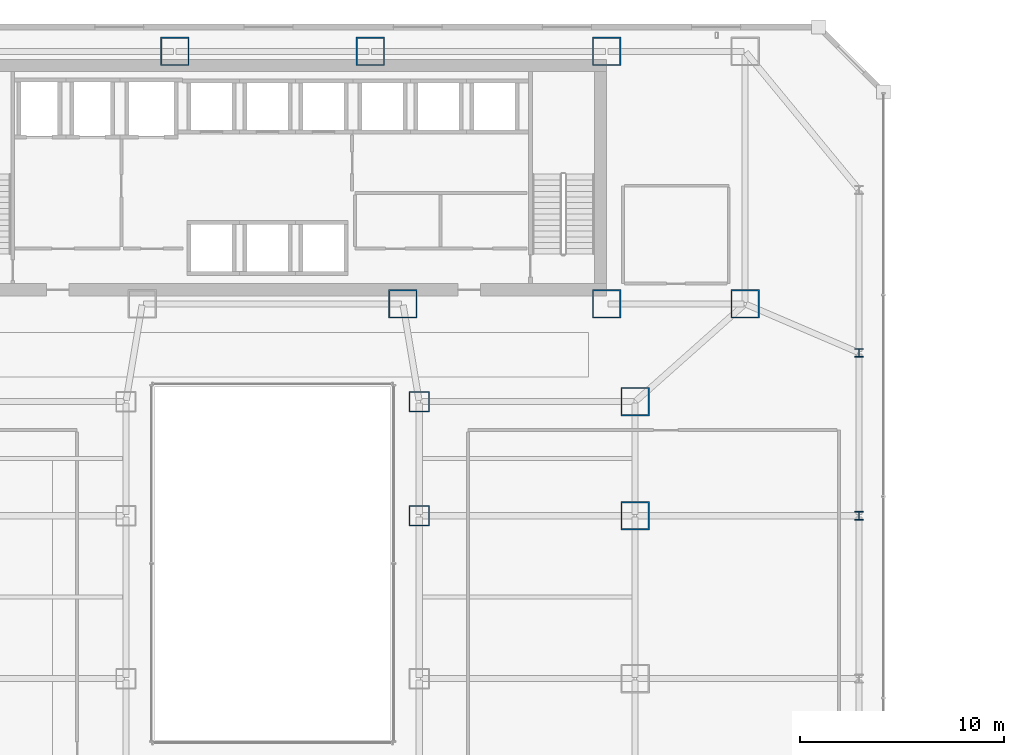
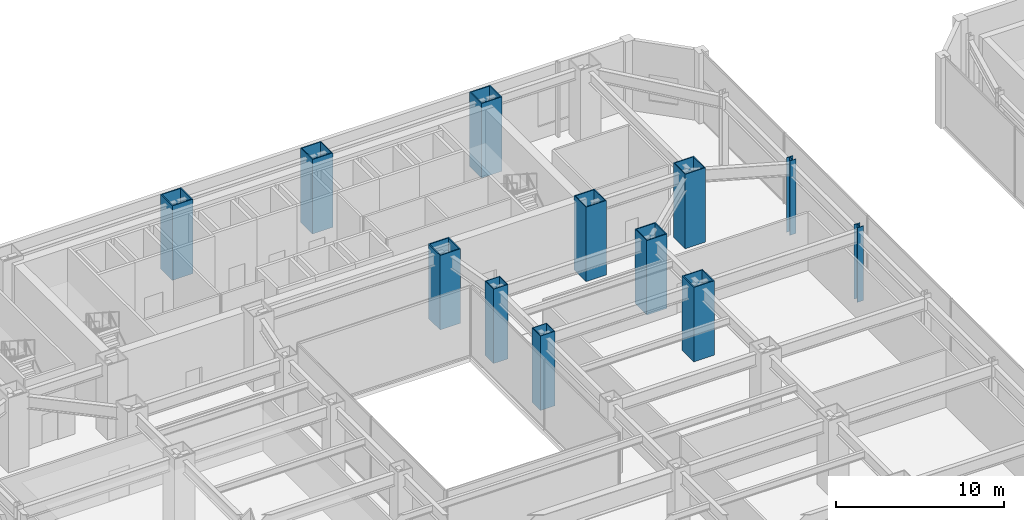
# One storey, part 4 of 52: 12 columns.
"""IFC4 building model written with IfcOpenShell, lengths in metres."""

from ifc_helpers import new_model, si_unit, direction, frame, origin, origin_2d, place, context, subcontext, project, spatial, hollow_rectangle, i_section, extrude, material, material_profile, profile_set, type_object, element, save


model = new_model("IFC4")

# Units and contexts
model_context = context("Model", 3, precision=1e-05, world=origin(), true_north=direction((0.0, 1.0)))
body_context = subcontext(model_context, "Body", "Model", "MODEL_VIEW")
ifc_project = project(units=[si_unit("LENGTHUNIT", "METRE"), si_unit("AREAUNIT", "SQUARE_METRE"), si_unit("VOLUMEUNIT", "CUBIC_METRE"), si_unit("PLANEANGLEUNIT", "RADIAN"), si_unit("MASSUNIT", "GRAM", prefix="KILO")], contexts=[model_context])

# Site, building, storey
site_placement = place(None, origin())
site = spatial("IfcSite", under=ifc_project, at=site_placement, CompositionType="ELEMENT")
building_placement = place(site_placement, origin())
building = spatial("IfcBuilding", under=site, at=building_placement, Name="Saevonmaru Cultural Tower", CompositionType="ELEMENT")
storey_placement = place(building_placement, frame((0.0, 0.0, 11.39990234375)))
storey = spatial("IfcBuildingStorey", under=building, at=storey_placement, Name="L02", CompositionType="ELEMENT", Elevation=11.39990234375)

# Columns
ifc_material_1 = material(Name="Steel SM420", Category="steel")
ifc_material_profile_1 = material_profile(ifc_material_1, hollow_rectangle(XDim=1.0, YDim=1.0, WallThickness=0.044921875, at=origin_2d()), Name="BOX-1000x1000x45")
ifc_profile_set_1 = profile_set([ifc_material_profile_1], Name="Steel SM420")
column_type_1 = type_object("IfcColumnType", Name="COL-BOX-1000", PredefinedType="COLUMN", material=ifc_profile_set_1)
for number, where, z_axis, x_axis, name in (
    (1, (37.199951171875, 32.0, 0.0), (0.0, 0.0, 1.0), (1.0, 0.0, 0.0), "L02 Column PC-E2-E"),
    (2, (37.199951171875, 37.60009765625, 0.0), (0.0, 0.0, 1.0), (1.0, 0.0, 0.0), "L02 Column PC-E2-F"),
):
    element("IfcColumn", number, at=place(storey_placement, frame(where, z_axis=z_axis, x_axis=x_axis)), inside=storey, type_object=column_type_1, Name=name, PredefinedType="COLUMN", context=body_context, shape_type="SweptSolid", body=[
        extrude(hollow_rectangle(XDim=1.0, YDim=1.0, WallThickness=0.044921875, at=origin_2d()), origin(), (0.0, 0.0, 1.0), 5.400146484375),
    ])
ifc_material_2 = material(Name="Steel HSA600 (600 MPa)", Category="steel")
ifc_material_profile_2 = material_profile(ifc_material_2, hollow_rectangle(XDim=1.39990234375, YDim=1.39990234375, WallThickness=0.06494140625, at=origin_2d()), Name="BOX-1400x1400x65")
ifc_profile_set_2 = profile_set([ifc_material_profile_2], Name="Steel HSA600 (600 MPa)")
column_type_2 = type_object("IfcColumnType", Name="COL-BOX-1400", PredefinedType="COLUMN", material=ifc_profile_set_2)
for number, where, z_axis, x_axis, name in (
    (3, (25.199951171875, 54.800048828125, 0.0), (0.0, 0.0, 1.0), (1.0, 0.0, 0.0), "L02 Column TC-N3N"),
    (4, (34.800048828125, 54.800048828125, 0.0), (0.0, 0.0, 1.0), (1.0, 0.0, 0.0), "L02 Column TC-N4N"),
    (5, (46.39990234375, 54.800048828125, 0.0), (0.0, 0.0, 1.0), (1.0, 0.0, 0.0), "L02 Column TC-N5N"),
    (6, (36.39990234375, 42.39990234375, 0.0), (0.0, 0.0, 1.0), (1.0, 0.0, 0.0), "L02 Column TC-S4C"),
    (7, (46.39990234375, 42.39990234375, 0.0), (0.0, 0.0, 1.0), (1.0, 0.0, 0.0), "L02 Column TC-S5C"),
    (8, (53.199951171875, 42.39990234375, 0.0), (0.0, 0.0, 1.0), (1.0, 0.0, 0.0), "L02 Column TC-S6C"),
    (9, (47.800048828125, 32.0, 0.0), (0.0, 0.0, 1.0), (1.0, 0.0, 0.0), "L02 Column PC-E1-E"),
    (10, (47.800048828125, 37.60009765625, 0.0), (0.0, 0.0, 1.0), (1.0, 0.0, 0.0), "L02 Column PC-E1-F"),
):
    element("IfcColumn", number, at=place(storey_placement, frame(where, z_axis=z_axis, x_axis=x_axis)), inside=storey, type_object=column_type_2, Name=name, PredefinedType="COLUMN", context=body_context, shape_type="SweptSolid", body=[
        extrude(hollow_rectangle(XDim=1.39990234375, YDim=1.39990234375, WallThickness=0.06494140625, at=origin_2d()), origin(), (0.0, 0.0, 1.0), 5.400146484375),
    ])
ifc_material_profile_3 = material_profile(ifc_material_1, i_section(OverallWidth=0.419921875, OverallDepth=0.419921875, WebThickness=0.02001953125, FlangeThickness=0.034912109375, FilletRadius=0.02197265625, at=origin_2d()), Name="H-428x407x20x35")
ifc_profile_set_3 = profile_set([ifc_material_profile_3], Name="Steel SM420")
column_type_3 = type_object("IfcColumnType", Name="COL-H-428", PredefinedType="COLUMN", material=ifc_profile_set_3)
for number, where, z_axis, x_axis, name in (
    (11, (58.800048828125, 32.0, 0.0), (0.0, 0.0, 1.0), (1.0, 0.0, 0.0), "L02 Column PC-PE-E"),
    (12, (58.800048828125, 40.0, 0.0), (0.0, 0.0, 1.0), (1.0, 0.0, 0.0), "L02 Column PC-PE-F"),
):
    element("IfcColumn", number, at=place(storey_placement, frame(where, z_axis=z_axis, x_axis=x_axis)), inside=storey, type_object=column_type_3, Name=name, PredefinedType="COLUMN", context=body_context, shape_type="SweptSolid", body=[
        extrude(i_section(OverallWidth=0.419921875, OverallDepth=0.419921875, WebThickness=0.02001953125, FlangeThickness=0.034912109375, FilletRadius=0.02197265625, at=origin_2d()), origin(), (0.0, 0.0, 1.0), 5.400146484375),
    ])

save(model, "model.ifc")
